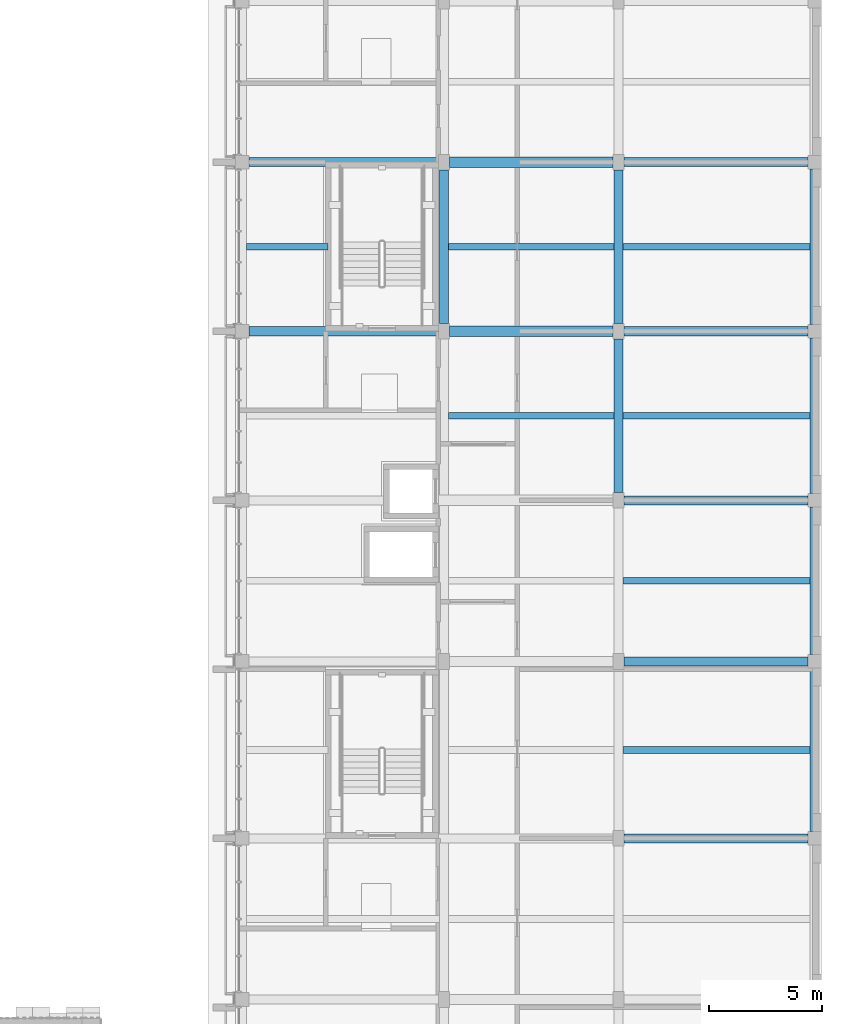
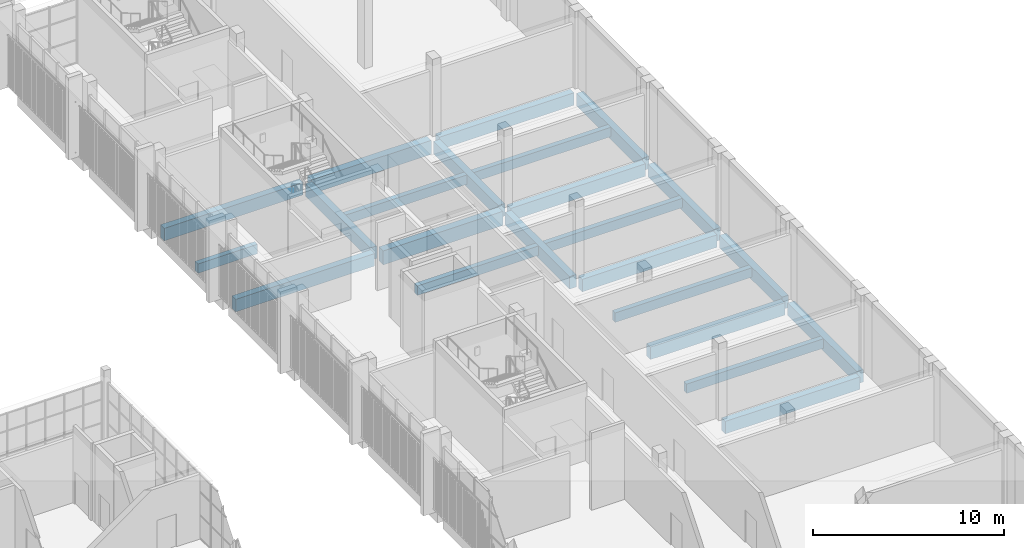
# One storey, part 44 of 125: 23 beams.
"""IFC4 building model written with IfcOpenShell, lengths in metres."""

from ifc_helpers import new_model, si_unit, direction, frame, origin, origin_2d, place, context, subcontext, project, spatial, rectangle, extrude, material, material_profile, profile_set, type_object, element, save


model = new_model("IFC4")

# Units and contexts
model_context = context("Model", 3, precision=1e-05, world=origin(), true_north=direction((0.0, 1.0)))
body_context = subcontext(model_context, "Body", "Model", "MODEL_VIEW")
ifc_project = project(units=[si_unit("LENGTHUNIT", "METRE"), si_unit("AREAUNIT", "SQUARE_METRE"), si_unit("VOLUMEUNIT", "CUBIC_METRE"), si_unit("PLANEANGLEUNIT", "RADIAN"), si_unit("MASSUNIT", "GRAM", prefix="KILO")], contexts=[model_context])

# Site, building, storey
site_placement = place(None, origin())
site = spatial("IfcSite", under=ifc_project, at=site_placement, CompositionType="ELEMENT")
building_placement = place(site_placement, origin())
building = spatial("IfcBuilding", under=site, at=building_placement, Name="Sun Court Science Centre", CompositionType="ELEMENT")
storey_placement = place(building_placement, frame((0.0, 0.0, 6.0)))
storey = spatial("IfcBuildingStorey", under=building, at=storey_placement, Name="L01", CompositionType="ELEMENT", Elevation=6.0)

# Beams
ifc_material_1 = material(Name="Concrete C25/30", Category="concrete")
ifc_material_profile_1 = material_profile(ifc_material_1, rectangle(XDim=0.39990234375, YDim=0.800048828125, at=origin_2d()), Name="RC 400x800")
ifc_profile_set_1 = profile_set([ifc_material_profile_1], Name="Concrete C25/30")
beam_type_1 = type_object("IfcBeamType", Name="RC girder 400x800", PredefinedType="BEAM", material=ifc_profile_set_1)
for number, where, z_axis, x_axis, name in (
    (1, (95.25, 36.0, -0.699951171875), (1.0, 0.0, 0.0), (0.0, 1.0, 0.0), "Girder L01 row 5"),
    (2, (95.25, 43.85009765625, -0.699951171875), (1.0, 0.0, 0.0), (0.0, 1.0, 0.0), "Girder L01 row 6"),
    (3, (95.25, 51.0, -0.699951171875), (1.0, 0.0, 0.0), (0.0, 1.0, 0.0), "Girder L01 row 7"),
):
    element("IfcBeam", number, at=place(storey_placement, frame(where, z_axis=z_axis, x_axis=x_axis)), inside=storey, type_object=beam_type_1, Name=name, PredefinedType="BEAM", context=body_context, shape_type="SweptSolid", body=[
        extrude(rectangle(XDim=0.39990234375, YDim=0.800048828125, at=origin_2d()), origin(), (0.0, 0.0, 1.0), 8.14990234375),
    ])
beam_1_placement = place(storey_placement, frame((78.60009765625, 58.5, -0.699951171875), z_axis=(1.0, 0.0, 0.0), x_axis=(0.0, 1.0, 0.0)))
element("IfcBeam", 4, at=beam_1_placement, inside=storey, type_object=beam_type_1, Name="Girder L01 row 8", PredefinedType="BEAM", context=body_context, shape_type="SweptSolid", body=[
    extrude(rectangle(XDim=0.39990234375, YDim=0.800048828125, at=origin_2d()), origin(), (0.0, 0.0, 1.0), 8.39990234375),
])
beam_2_placement = place(storey_placement, frame((95.25, 58.5, -0.699951171875), z_axis=(1.0, 0.0, 0.0), x_axis=(0.0, 1.0, 0.0)))
element("IfcBeam", 5, at=beam_2_placement, inside=storey, type_object=beam_type_1, Name="Girder L01 row 8", PredefinedType="BEAM", context=body_context, shape_type="SweptSolid", body=[
    extrude(rectangle(XDim=0.39990234375, YDim=0.800048828125, at=origin_2d()), origin(), (0.0, 0.0, 1.0), 8.14990234375),
])
beam_3_placement = place(storey_placement, frame((78.60009765625, 66.0, -0.699951171875), z_axis=(1.0, 0.0, 0.0), x_axis=(0.0, 1.0, 0.0)))
element("IfcBeam", 6, at=beam_3_placement, inside=storey, type_object=beam_type_1, Name="Girder L01 row 9", PredefinedType="BEAM", context=body_context, shape_type="SweptSolid", body=[
    extrude(rectangle(XDim=0.39990234375, YDim=0.800048828125, at=origin_2d()), origin(), (0.0, 0.0, 1.0), 8.39990234375),
])
beam_4_placement = place(storey_placement, frame((95.25, 66.0, -0.699951171875), z_axis=(1.0, 0.0, 0.0), x_axis=(0.0, 1.0, 0.0)))
element("IfcBeam", 7, at=beam_4_placement, inside=storey, type_object=beam_type_1, Name="Girder L01 row 9", PredefinedType="BEAM", context=body_context, shape_type="SweptSolid", body=[
    extrude(rectangle(XDim=0.39990234375, YDim=0.800048828125, at=origin_2d()), origin(), (0.0, 0.0, 1.0), 8.14990234375),
])
for number, where, z_axis, x_axis, name in (
    (8, (87.25, 58.85009765625, -0.699951171875), (0.0, 1.0, 0.0), (-1.0, 0.0, 0.0), "Girder L01 line 2"),
    (9, (95.0, 51.35009765625, -0.699951171875), (0.0, 1.0, 0.0), (-1.0, 0.0, 0.0), "Girder L01 line 3"),
    (10, (95.0, 58.85009765625, -0.699951171875), (0.0, 1.0, 0.0), (-1.0, 0.0, 0.0), "Girder L01 line 3"),
):
    element("IfcBeam", number, at=place(storey_placement, frame(where, z_axis=z_axis, x_axis=x_axis)), inside=storey, type_object=beam_type_1, Name=name, PredefinedType="BEAM", context=body_context, shape_type="SweptSolid", body=[
        extrude(rectangle(XDim=0.39990234375, YDim=0.800048828125, at=origin_2d()), origin(), (0.0, 0.0, 1.0), 6.7998046875),
    ])
beam_5_placement = place(storey_placement, frame((103.699951171875, 36.300048828125, -0.699951171875), z_axis=(0.0, 1.0, 0.0), x_axis=(-1.0, 0.0, 0.0)))
element("IfcBeam", 11, at=beam_5_placement, inside=storey, type_object=beam_type_1, Name="Girder L01 line 4", PredefinedType="BEAM", context=body_context, shape_type="SweptSolid", body=[
    extrude(rectangle(XDim=0.39990234375, YDim=0.800048828125, at=origin_2d()), origin(), (0.0, 0.0, 1.0), 7.25),
])
beam_6_placement = place(storey_placement, frame((103.699951171875, 44.14990234375, -0.699951171875), z_axis=(0.0, 1.0, 0.0), x_axis=(-1.0, 0.0, 0.0)))
element("IfcBeam", 12, at=beam_6_placement, inside=storey, type_object=beam_type_1, Name="Girder L01 line 4", PredefinedType="BEAM", context=body_context, shape_type="SweptSolid", body=[
    extrude(rectangle(XDim=0.39990234375, YDim=0.800048828125, at=origin_2d()), origin(), (0.0, 0.0, 1.0), 6.550048828125),
])
for number, where, z_axis, x_axis, name in (
    (13, (103.699951171875, 51.300048828125, -0.699951171875), (0.0, 1.0, 0.0), (-1.0, 0.0, 0.0), "Girder L01 line 4"),
    (14, (103.699951171875, 58.800048828125, -0.699951171875), (0.0, 1.0, 0.0), (-1.0, 0.0, 0.0), "Girder L01 line 4"),
):
    element("IfcBeam", number, at=place(storey_placement, frame(where, z_axis=z_axis, x_axis=x_axis)), inside=storey, type_object=beam_type_1, Name=name, PredefinedType="BEAM", context=body_context, shape_type="SweptSolid", body=[
        extrude(rectangle(XDim=0.39990234375, YDim=0.800048828125, at=origin_2d()), origin(), (0.0, 0.0, 1.0), 6.89990234375),
    ])
ifc_material_2 = material(Name="Concrete C25/30", Category="concrete")
ifc_material_profile_2 = material_profile(ifc_material_2, rectangle(XDim=0.449951171875, YDim=0.89990234375, at=origin_2d()), Name="RC 450x900")
ifc_profile_set_2 = profile_set([ifc_material_profile_2], Name="Concrete C25/30")
beam_type_2 = type_object("IfcBeamType", Name="RC girder 450x900", PredefinedType="BEAM", material=ifc_profile_set_2)
for number, where, z_axis, x_axis, name in (
    (15, (87.5, 58.5, -0.75), (1.0, 0.0, 0.0), (0.0, 1.0, 0.0), "Girder L01 row 8"),
    (16, (87.5, 66.0, -0.75), (1.0, 0.0, 0.0), (0.0, 1.0, 0.0), "Girder L01 row 9"),
):
    element("IfcBeam", number, at=place(storey_placement, frame(where, z_axis=z_axis, x_axis=x_axis)), inside=storey, type_object=beam_type_2, Name=name, PredefinedType="BEAM", context=body_context, shape_type="SweptSolid", body=[
        extrude(rectangle(XDim=0.449951171875, YDim=0.89990234375, at=origin_2d()), origin(), (0.0, 0.0, 1.0), 7.25),
    ])
ifc_material_3 = material(Name="Concrete C25/30", Category="concrete")
ifc_material_profile_3 = material_profile(ifc_material_3, rectangle(XDim=0.300048828125, YDim=0.60009765625, at=origin_2d()), Name="RC 300x600")
ifc_profile_set_3 = profile_set([ifc_material_profile_3], Name="Concrete C25/30")
beam_type_3 = type_object("IfcBeamType", Name="RC joist 300x600", PredefinedType="JOIST", material=ifc_profile_set_3)
for number, where, z_axis, x_axis, name in (
    (17, (95.199951171875, 39.925048828125, -0.60009765625), (1.0, 0.0, 0.0), (0.0, 1.0, 0.0), "Joist L01"),
    (18, (95.199951171875, 47.425048828125, -0.60009765625), (1.0, 0.0, 0.0), (0.0, 1.0, 0.0), "Joist L01"),
):
    element("IfcBeam", number, at=place(storey_placement, frame(where, z_axis=z_axis, x_axis=x_axis)), inside=storey, type_object=beam_type_3, Name=name, PredefinedType="JOIST", context=body_context, shape_type="SweptSolid", body=[
        extrude(rectangle(XDim=0.300048828125, YDim=0.60009765625, at=origin_2d()), origin(), (0.0, 0.0, 1.0), 8.300048828125),
    ])
beam_7_placement = place(storey_placement, frame((87.449951171875, 54.75, -0.60009765625), z_axis=(1.0, 0.0, 0.0), x_axis=(0.0, 1.0, 0.0)))
element("IfcBeam", 19, at=beam_7_placement, inside=storey, type_object=beam_type_3, Name="Joist L01", PredefinedType="JOIST", context=body_context, shape_type="SweptSolid", body=[
    extrude(rectangle(XDim=0.300048828125, YDim=0.60009765625, at=origin_2d()), origin(), (0.0, 0.0, 1.0), 7.35009765625),
])
beam_8_placement = place(storey_placement, frame((95.199951171875, 54.75, -0.60009765625), z_axis=(1.0, 0.0, 0.0), x_axis=(0.0, 1.0, 0.0)))
element("IfcBeam", 20, at=beam_8_placement, inside=storey, type_object=beam_type_3, Name="Joist L01", PredefinedType="JOIST", context=body_context, shape_type="SweptSolid", body=[
    extrude(rectangle(XDim=0.300048828125, YDim=0.60009765625, at=origin_2d()), origin(), (0.0, 0.0, 1.0), 8.300048828125),
])
beam_9_placement = place(storey_placement, frame((78.5, 62.25, -0.60009765625), z_axis=(1.0, 0.0, 0.0), x_axis=(0.0, 1.0, 0.0)))
element("IfcBeam", 21, at=beam_9_placement, inside=storey, type_object=beam_type_3, Name="Joist L01", PredefinedType="JOIST", context=body_context, shape_type="SweptSolid", body=[
    extrude(rectangle(XDim=0.300048828125, YDim=0.60009765625, at=origin_2d()), origin(), (0.0, 0.0, 1.0), 3.60009765625),
])
beam_10_placement = place(storey_placement, frame((87.449951171875, 62.25, -0.60009765625), z_axis=(1.0, 0.0, 0.0), x_axis=(0.0, 1.0, 0.0)))
element("IfcBeam", 22, at=beam_10_placement, inside=storey, type_object=beam_type_3, Name="Joist L01", PredefinedType="JOIST", context=body_context, shape_type="SweptSolid", body=[
    extrude(rectangle(XDim=0.300048828125, YDim=0.60009765625, at=origin_2d()), origin(), (0.0, 0.0, 1.0), 7.35009765625),
])
beam_11_placement = place(storey_placement, frame((95.199951171875, 62.25, -0.60009765625), z_axis=(1.0, 0.0, 0.0), x_axis=(0.0, 1.0, 0.0)))
element("IfcBeam", 23, at=beam_11_placement, inside=storey, type_object=beam_type_3, Name="Joist L01", PredefinedType="JOIST", context=body_context, shape_type="SweptSolid", body=[
    extrude(rectangle(XDim=0.300048828125, YDim=0.60009765625, at=origin_2d()), origin(), (0.0, 0.0, 1.0), 8.300048828125),
])

save(model, "model.ifc")
